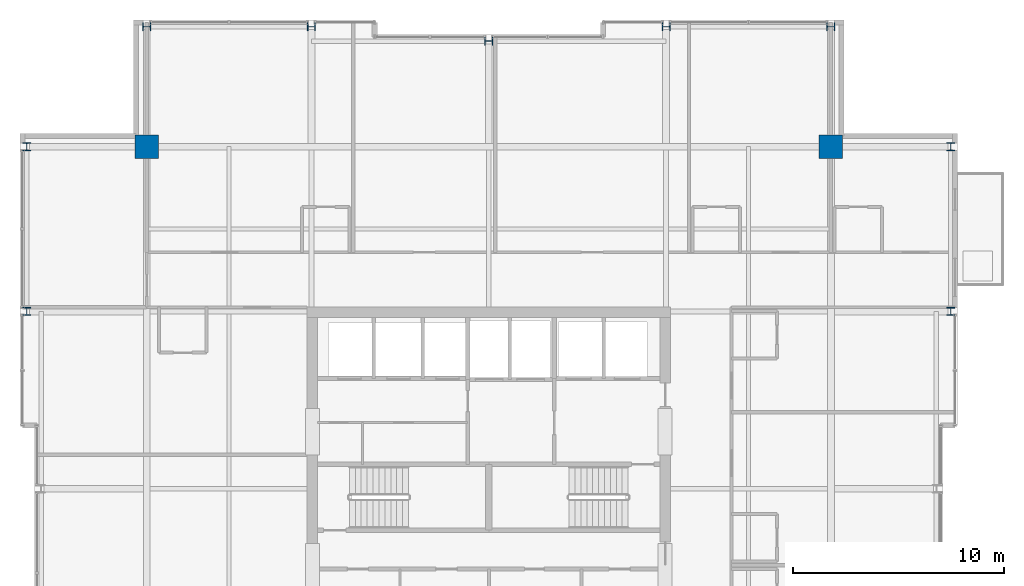
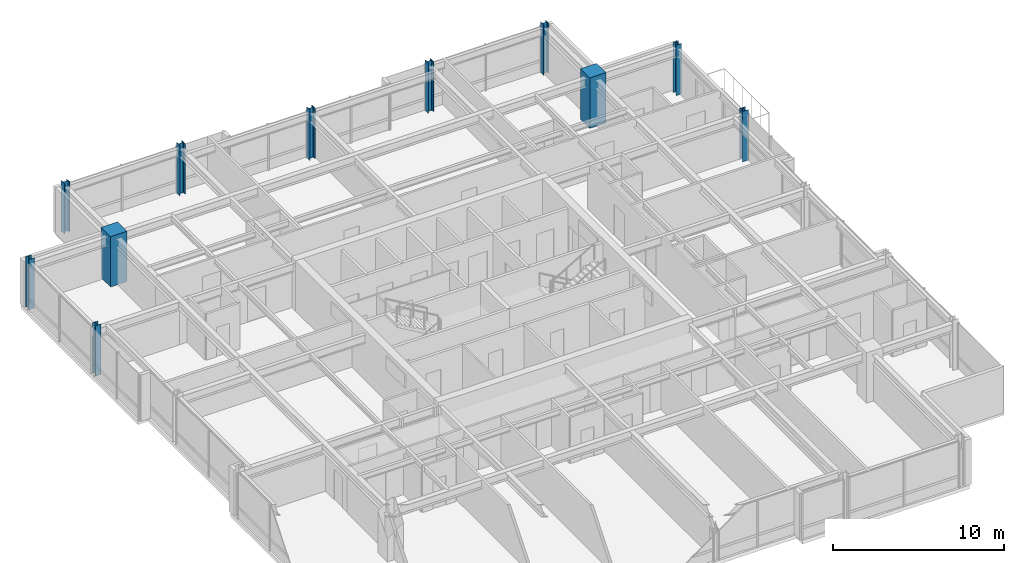
# One storey, part 2 of 34: 11 columns.
"""IFC4 building model written with IfcOpenShell, lengths in metres."""

from ifc_helpers import new_model, si_unit, direction, frame, origin, origin_2d, place, context, subcontext, project, spatial, rectangle, i_section, extrude, material, material_profile, profile_set, type_object, element, save


model = new_model("IFC4")

# Units and contexts
model_context = context("Model", 3, precision=1e-05, world=origin(), true_north=direction((0.0, 1.0)))
body_context = subcontext(model_context, "Body", "Model", "MODEL_VIEW")
ifc_project = project(units=[si_unit("LENGTHUNIT", "METRE"), si_unit("AREAUNIT", "SQUARE_METRE"), si_unit("VOLUMEUNIT", "CUBIC_METRE"), si_unit("PLANEANGLEUNIT", "RADIAN"), si_unit("MASSUNIT", "GRAM", prefix="KILO")], contexts=[model_context])

# Site, building, storey
site_placement = place(None, origin())
site = spatial("IfcSite", under=ifc_project, at=site_placement, CompositionType="ELEMENT")
building_placement = place(site_placement, origin())
building = spatial("IfcBuilding", under=site, at=building_placement, Name="Drelvath Grand Hotel", CompositionType="ELEMENT")
storey_placement = place(building_placement, frame((0.0, 0.0, 251.89990234375)))
storey = spatial("IfcBuildingStorey", under=building, at=storey_placement, Name="L66", CompositionType="ELEMENT", Elevation=251.89990234375)

# Columns
ifc_material_1 = material(Name="Concrete f'c 55 MPa", Category="concrete")
ifc_material_profile_1 = material_profile(ifc_material_1, rectangle(XDim=1.10009765625, YDim=1.10009765625, at=origin_2d()), Name="MC1100X1100")
ifc_profile_set_1 = profile_set([ifc_material_profile_1], Name="Concrete f'c 55 MPa")
column_type_1 = type_object("IfcColumnType", Name="Composite Mega Column MC1100X1100", PredefinedType="COLUMN", material=ifc_profile_set_1)
for number, where, z_axis, x_axis, name in (
    (1, (-16.199951171875, 43.199951171875, 0.0), (0.0, 0.0, 1.0), (1.0, 0.0, 0.0), "L66 Composite Mega Column MC-NW"),
    (2, (16.199951171875, 43.199951171875, 0.0), (0.0, 0.0, 1.0), (1.0, 0.0, 0.0), "L66 Composite Mega Column MC-NE"),
):
    element("IfcColumn", number, at=place(storey_placement, frame(where, z_axis=z_axis, x_axis=x_axis)), inside=storey, type_object=column_type_1, Name=name, PredefinedType="COLUMN", context=body_context, shape_type="SweptSolid", body=[
        extrude(rectangle(XDim=1.10009765625, YDim=1.10009765625, at=origin_2d()), origin(), (0.0, 0.0, 1.0), 3.60009765625),
    ])
ifc_material_2 = material(Name="Steel ASTM A913 Gr 65", Category="steel")
ifc_material_profile_2 = material_profile(ifc_material_2, i_section(OverallWidth=0.3740234375, OverallDepth=0.372314453125, WebThickness=0.016357421875, FlangeThickness=0.026123046875, FilletRadius=0.02490234375, at=origin_2d()), Name="W14X132")
ifc_profile_set_2 = profile_set([ifc_material_profile_2], Name="Steel ASTM A913 Gr 65")
column_type_2 = type_object("IfcColumnType", Name="Perimeter Steel Column W14X132", PredefinedType="COLUMN", material=ifc_profile_set_2)
for number, where, z_axis, x_axis, name in (
    (3, (-21.8798828125, 35.39990234375, 0.0), (0.0, 0.0, 1.0), (1.0, 0.0, 0.0), "L66 Structural Column TCW-F"),
    (4, (21.8798828125, 35.39990234375, 0.0), (0.0, 0.0, 1.0), (1.0, 0.0, 0.0), "L66 Structural Column TCE-F"),
    (5, (-21.8798828125, 43.199951171875, 0.0), (0.0, 0.0, 1.0), (1.0, 0.0, 0.0), "L66 Structural Column TCW-G"),
    (6, (21.8798828125, 43.199951171875, 0.0), (0.0, 0.0, 1.0), (1.0, 0.0, 0.0), "L66 Structural Column TCE-G"),
    (7, (-16.199951171875, 48.8798828125, 0.0), (0.0, 0.0, 1.0), (0.0, 1.0, 0.0), "L66 Structural Column TCN-3"),
    (8, (-8.39990234375, 48.8798828125, 0.0), (0.0, 0.0, 1.0), (0.0, 1.0, 0.0), "L66 Structural Column TCN-4"),
    (9, (0.0, 48.199951171875, 0.0), (0.0, 0.0, 1.0), (0.0, 1.0, 0.0), "L66 Structural Column TCN-5"),
    (10, (8.39990234375, 48.8798828125, 0.0), (0.0, 0.0, 1.0), (0.0, 1.0, 0.0), "L66 Structural Column TCN-6"),
    (11, (16.199951171875, 48.8798828125, 0.0), (0.0, 0.0, 1.0), (0.0, 1.0, 0.0), "L66 Structural Column TCN-7"),
):
    element("IfcColumn", number, at=place(storey_placement, frame(where, z_axis=z_axis, x_axis=x_axis)), inside=storey, type_object=column_type_2, Name=name, PredefinedType="COLUMN", context=body_context, shape_type="SweptSolid", body=[
        extrude(i_section(OverallWidth=0.3740234375, OverallDepth=0.372314453125, WebThickness=0.016357421875, FlangeThickness=0.026123046875, FilletRadius=0.02490234375, at=origin_2d()), origin(), (0.0, 0.0, 1.0), 3.59716796875),
    ])

save(model, "model.ifc")
